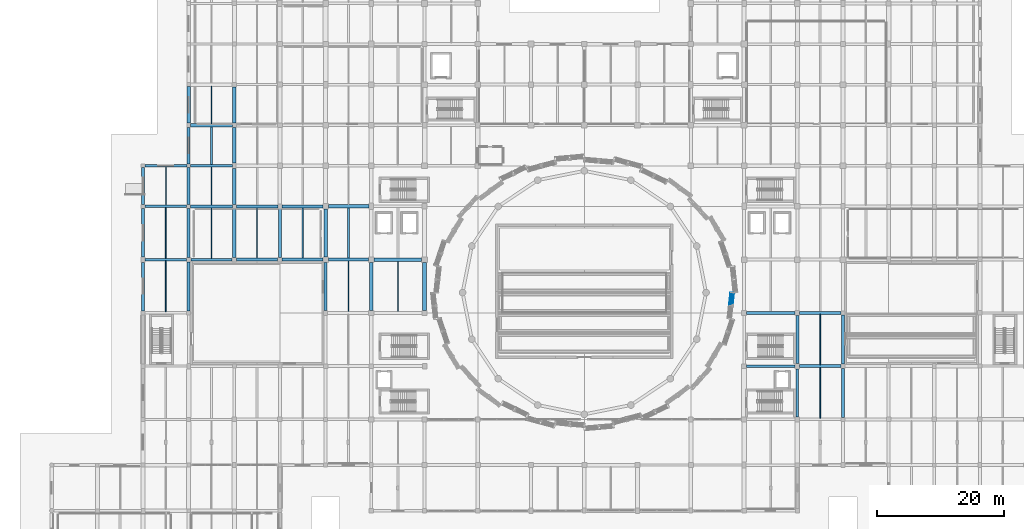
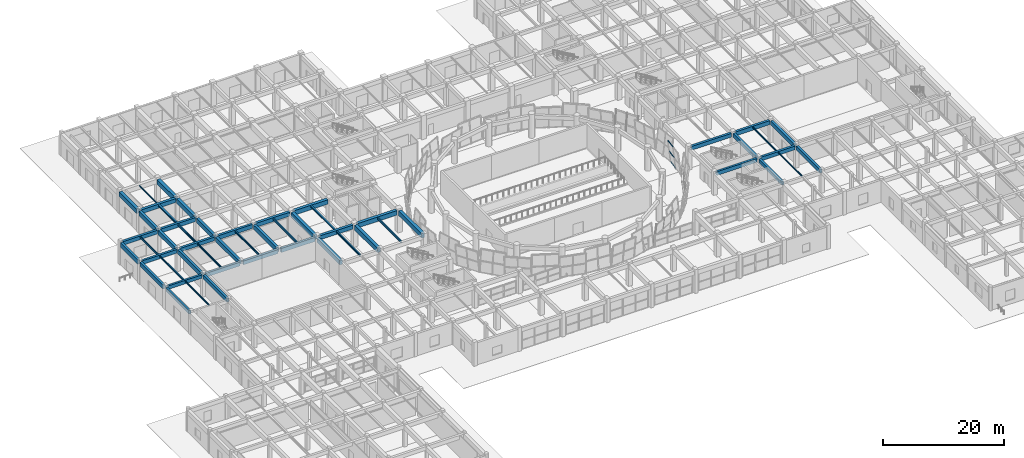
# One storey, part 28 of 72: 53 beams, 3 members, 1 element without a shape of its own.
"""IFC4 building model written with IfcOpenShell, lengths in metres."""

from ifc_helpers import new_model, si_unit, direction, frame, origin, origin_2d, place, context, subcontext, project, spatial, rectangle, hollow_rectangle, i_section, extrude, material, material_profile, profile_set, type_object, element, aggregate, save


model = new_model("IFC4")

# Units and contexts
model_context = context("Model", 3, precision=1e-05, world=origin(), true_north=direction((0.0, 1.0)))
body_context = subcontext(model_context, "Body", "Model", "MODEL_VIEW")
ifc_project = project(units=[si_unit("LENGTHUNIT", "METRE"), si_unit("AREAUNIT", "SQUARE_METRE"), si_unit("VOLUMEUNIT", "CUBIC_METRE"), si_unit("PLANEANGLEUNIT", "RADIAN"), si_unit("MASSUNIT", "GRAM", prefix="KILO")], contexts=[model_context])

# Site, building, storey
site_placement = place(None, origin())
site = spatial("IfcSite", under=ifc_project, at=site_placement, CompositionType="ELEMENT")
building_placement = place(site_placement, origin())
building = spatial("IfcBuilding", under=site, at=building_placement, Name="Korsvaeld Concert Hall", CompositionType="ELEMENT")
storey_placement = place(building_placement, origin())
storey = spatial("IfcBuildingStorey", under=building, at=storey_placement, Name="L00", CompositionType="ELEMENT", Elevation=0.0)

# Beams
ifc_material_1 = material(Name="Concrete C35/45", Category="concrete")
ifc_material_profile_1 = material_profile(ifc_material_1, rectangle(XDim=0.39990234375, YDim=0.699951171875, at=origin_2d()), Name="RC 400x700")
ifc_profile_set_1 = profile_set([ifc_material_profile_1], Name="Concrete C35/45")
beam_type_1 = type_object("IfcBeamType", Name="BM-RC-400x700", PredefinedType="T_BEAM", material=ifc_profile_set_1)
beam_1_placement = place(storey_placement, frame((14.699951171875, 68.39990234375, 4.090087890625), z_axis=(1.0, 0.0, 0.0), x_axis=(0.0, 1.0, 0.0)))
element("IfcBeam", 1, at=beam_1_placement, inside=storey, type_object=beam_type_1, Name="Primary girder 3-4/K L00", PredefinedType="T_BEAM", context=body_context, shape_type="SweptSolid", body=[
    extrude(rectangle(XDim=0.39990234375, YDim=0.699951171875, at=origin_2d()), origin(), (0.0, 0.0, 1.0), 6.550048828125),
])
beam_2_placement = place(storey_placement, frame((14.39990234375, 60.324951171875, 4.090087890625), z_axis=(0.0, 1.0, 0.0), x_axis=(-1.0, 0.0, 0.0)))
element("IfcBeam", 2, at=beam_2_placement, inside=storey, type_object=beam_type_1, Name="Primary girder 3/J-K L00", PredefinedType="T_BEAM", context=body_context, shape_type="SweptSolid", body=[
    extrude(rectangle(XDim=0.39990234375, YDim=0.699951171875, at=origin_2d()), origin(), (0.0, 0.0, 1.0), 7.625),
])
beam_3_placement = place(storey_placement, frame((117.60009765625, 43.574951171875, 4.090087890625), z_axis=(0.0, 1.0, 0.0), x_axis=(-1.0, 0.0, 0.0)))
element("IfcBeam", 3, at=beam_3_placement, inside=storey, type_object=beam_type_1, Name="Primary girder 16/G-H L00", PredefinedType="T_BEAM", context=body_context, shape_type="SweptSolid", body=[
    extrude(rectangle(XDim=0.39990234375, YDim=0.699951171875, at=origin_2d()), origin(), (0.0, 0.0, 1.0), 7.574951171875),
])
ifc_material_profile_2 = material_profile(ifc_material_1, rectangle(XDim=0.39990234375, YDim=0.75, at=origin_2d()), Name="RC 400x750")
ifc_profile_set_2 = profile_set([ifc_material_profile_2], Name="Concrete C35/45")
beam_type_2 = type_object("IfcBeamType", Name="BM-RC-400x750", PredefinedType="T_BEAM", material=ifc_profile_set_2)
beam_4_placement = place(storey_placement, frame((109.574951171875, 51.60009765625, 4.06494140625), z_axis=(1.0, 0.0, 0.0), x_axis=(0.0, 1.0, 0.0)))
element("IfcBeam", 4, at=beam_4_placement, inside=storey, type_object=beam_type_2, Name="Primary girder 15-16/H L00", PredefinedType="T_BEAM", context=body_context, shape_type="SweptSolid", body=[
    extrude(rectangle(XDim=0.39990234375, YDim=0.75, at=origin_2d()), origin(), (0.0, 0.0, 1.0), 7.675048828125),
])
beam_5_placement = place(storey_placement, frame((21.949951171875, 68.39990234375, 4.06494140625), z_axis=(1.0, 0.0, 0.0), x_axis=(0.0, 1.0, 0.0)))
element("IfcBeam", 5, at=beam_5_placement, inside=storey, type_object=beam_type_2, Name="Primary girder 4-5/K L00", PredefinedType="T_BEAM", context=body_context, shape_type="SweptSolid", body=[
    extrude(rectangle(XDim=0.39990234375, YDim=0.75, at=origin_2d()), origin(), (0.0, 0.0, 1.0), 6.5),
])
beam_6_placement = place(storey_placement, frame((14.72509765625, 76.800048828125, 4.06494140625), z_axis=(1.0, 0.0, 0.0), x_axis=(0.0, 1.0, 0.0)))
element("IfcBeam", 6, at=beam_6_placement, inside=storey, type_object=beam_type_2, Name="Primary girder 3-4/L L00", PredefinedType="T_BEAM", context=body_context, shape_type="SweptSolid", body=[
    extrude(rectangle(XDim=0.39990234375, YDim=0.75, at=origin_2d()), origin(), (0.0, 0.0, 1.0), 6.5498046875),
])
ifc_material_profile_3 = material_profile(ifc_material_1, rectangle(XDim=0.449951171875, YDim=0.75, at=origin_2d()), Name="RC 450x750")
ifc_profile_set_3 = profile_set([ifc_material_profile_3], Name="Concrete C35/45")
beam_type_3 = type_object("IfcBeamType", Name="BM-RC-450x750", PredefinedType="T_BEAM", material=ifc_profile_set_3)
beam_7_placement = place(storey_placement, frame((117.949951171875, 51.60009765625, 4.06494140625), z_axis=(1.0, 0.0, 0.0), x_axis=(0.0, 1.0, 0.0)))
element("IfcBeam", 7, at=beam_7_placement, inside=storey, type_object=beam_type_3, Name="Primary girder 16-17/H L00", PredefinedType="T_BEAM", context=body_context, shape_type="SweptSolid", body=[
    extrude(rectangle(XDim=0.449951171875, YDim=0.75, at=origin_2d()), origin(), (0.0, 0.0, 1.0), 6.5),
])
beam_8_placement = place(storey_placement, frame((109.60009765625, 60.0, 4.06494140625), z_axis=(1.0, 0.0, 0.0), x_axis=(0.0, 1.0, 0.0)))
element("IfcBeam", 8, at=beam_8_placement, inside=storey, type_object=beam_type_3, Name="Primary girder 15-16/J L00", PredefinedType="T_BEAM", context=body_context, shape_type="SweptSolid", body=[
    extrude(rectangle(XDim=0.449951171875, YDim=0.75, at=origin_2d()), origin(), (0.0, 0.0, 1.0), 7.625),
])
beam_9_placement = place(storey_placement, frame((29.14990234375, 68.39990234375, 4.06494140625), z_axis=(1.0, 0.0, 0.0), x_axis=(0.0, 1.0, 0.0)))
element("IfcBeam", 9, at=beam_9_placement, inside=storey, type_object=beam_type_3, Name="Primary girder 5-6/K L00", PredefinedType="T_BEAM", context=body_context, shape_type="SweptSolid", body=[
    extrude(rectangle(XDim=0.449951171875, YDim=0.75, at=origin_2d()), origin(), (0.0, 0.0, 1.0), 6.5),
])
beam_10_placement = place(storey_placement, frame((21.925048828125, 76.800048828125, 4.06494140625), z_axis=(1.0, 0.0, 0.0), x_axis=(0.0, 1.0, 0.0)))
element("IfcBeam", 10, at=beam_10_placement, inside=storey, type_object=beam_type_3, Name="Primary girder 4-5/L L00", PredefinedType="T_BEAM", context=body_context, shape_type="SweptSolid", body=[
    extrude(rectangle(XDim=0.449951171875, YDim=0.75, at=origin_2d()), origin(), (0.0, 0.0, 1.0), 6.550048828125),
])
beam_11_placement = place(storey_placement, frame((14.699951171875, 83.199951171875, 4.06494140625), z_axis=(1.0, 0.0, 0.0), x_axis=(0.0, 1.0, 0.0)))
element("IfcBeam", 11, at=beam_11_placement, inside=storey, type_object=beam_type_3, Name="Primary girder 3-4/M L00", PredefinedType="T_BEAM", context=body_context, shape_type="SweptSolid", body=[
    extrude(rectangle(XDim=0.449951171875, YDim=0.75, at=origin_2d()), origin(), (0.0, 0.0, 1.0), 6.60009765625),
])
ifc_material_profile_4 = material_profile(ifc_material_1, rectangle(XDim=0.449951171875, YDim=0.800048828125, at=origin_2d()), Name="RC 450x800")
ifc_profile_set_4 = profile_set([ifc_material_profile_4], Name="Concrete C35/45")
beam_type_4 = type_object("IfcBeamType", Name="BM-RC-450x800", PredefinedType="T_BEAM", material=ifc_profile_set_4)
beam_12_placement = place(storey_placement, frame((117.97509765625, 60.0, 4.0400390625), z_axis=(1.0, 0.0, 0.0), x_axis=(0.0, 1.0, 0.0)))
element("IfcBeam", 12, at=beam_12_placement, inside=storey, type_object=beam_type_4, Name="Primary girder 16-17/J L00", PredefinedType="T_BEAM", context=body_context, shape_type="SweptSolid", body=[
    extrude(rectangle(XDim=0.449951171875, YDim=0.800048828125, at=origin_2d()), origin(), (0.0, 0.0, 1.0), 6.5),
])
beam_13_placement = place(storey_placement, frame((36.35009765625, 68.39990234375, 4.0400390625), z_axis=(1.0, 0.0, 0.0), x_axis=(0.0, 1.0, 0.0)))
element("IfcBeam", 13, at=beam_13_placement, inside=storey, type_object=beam_type_4, Name="Primary girder 6-7/K L00", PredefinedType="T_BEAM", context=body_context, shape_type="SweptSolid", body=[
    extrude(rectangle(XDim=0.449951171875, YDim=0.800048828125, at=origin_2d()), origin(), (0.0, 0.0, 1.0), 6.39990234375),
])
beam_14_placement = place(storey_placement, frame((29.125, 76.800048828125, 4.0400390625), z_axis=(1.0, 0.0, 0.0), x_axis=(0.0, 1.0, 0.0)))
element("IfcBeam", 14, at=beam_14_placement, inside=storey, type_object=beam_type_4, Name="Primary girder 5-6/L L00", PredefinedType="T_BEAM", context=body_context, shape_type="SweptSolid", body=[
    extrude(rectangle(XDim=0.449951171875, YDim=0.800048828125, at=origin_2d()), origin(), (0.0, 0.0, 1.0), 6.574951171875),
])
beam_15_placement = place(storey_placement, frame((21.89990234375, 83.199951171875, 4.0400390625), z_axis=(1.0, 0.0, 0.0), x_axis=(0.0, 1.0, 0.0)))
element("IfcBeam", 15, at=beam_15_placement, inside=storey, type_object=beam_type_4, Name="Primary girder 4-5/M L00", PredefinedType="T_BEAM", context=body_context, shape_type="SweptSolid", body=[
    extrude(rectangle(XDim=0.449951171875, YDim=0.800048828125, at=origin_2d()), origin(), (0.0, 0.0, 1.0), 6.60009765625),
])
beam_16_placement = place(storey_placement, frame((14.39990234375, 68.85009765625, 4.0400390625), z_axis=(0.0, 1.0, 0.0), x_axis=(-1.0, 0.0, 0.0)))
element("IfcBeam", 16, at=beam_16_placement, inside=storey, type_object=beam_type_4, Name="Primary girder 3/K-L L00", PredefinedType="T_BEAM", context=body_context, shape_type="SweptSolid", body=[
    extrude(rectangle(XDim=0.449951171875, YDim=0.800048828125, at=origin_2d()), origin(), (0.0, 0.0, 1.0), 7.625),
])
beam_17_placement = place(storey_placement, frame((21.60009765625, 60.324951171875, 4.0400390625), z_axis=(0.0, 1.0, 0.0), x_axis=(-1.0, 0.0, 0.0)))
element("IfcBeam", 17, at=beam_17_placement, inside=storey, type_object=beam_type_4, Name="Primary girder 4/J-K L00", PredefinedType="T_BEAM", context=body_context, shape_type="SweptSolid", body=[
    extrude(rectangle(XDim=0.449951171875, YDim=0.800048828125, at=origin_2d()), origin(), (0.0, 0.0, 1.0), 7.72509765625),
])
beam_18_placement = place(storey_placement, frame((117.60009765625, 52.050048828125, 4.0400390625), z_axis=(0.0, 1.0, 0.0), x_axis=(-1.0, 0.0, 0.0)))
element("IfcBeam", 18, at=beam_18_placement, inside=storey, type_object=beam_type_4, Name="Primary girder 16/H-J L00", PredefinedType="T_BEAM", context=body_context, shape_type="SweptSolid", body=[
    extrude(rectangle(XDim=0.449951171875, YDim=0.800048828125, at=origin_2d()), origin(), (0.0, 0.0, 1.0), 7.574951171875),
])
beam_19_placement = place(storey_placement, frame((124.800048828125, 43.52490234375, 4.0400390625), z_axis=(0.0, 1.0, 0.0), x_axis=(-1.0, 0.0, 0.0)))
element("IfcBeam", 19, at=beam_19_placement, inside=storey, type_object=beam_type_4, Name="Primary girder 17/G-H L00", PredefinedType="T_BEAM", context=body_context, shape_type="SweptSolid", body=[
    extrude(rectangle(XDim=0.449951171875, YDim=0.800048828125, at=origin_2d()), origin(), (0.0, 0.0, 1.0), 7.72509765625),
])
ifc_material_2 = material(Name="Concrete C40/50", Category="concrete")
ifc_material_profile_5 = material_profile(ifc_material_2, rectangle(XDim=0.449951171875, YDim=0.85009765625, at=origin_2d()), Name="RC 450x850")
ifc_profile_set_5 = profile_set([ifc_material_profile_5], Name="Concrete C40/50")
beam_type_5 = type_object("IfcBeamType", Name="BM-RC-450x850", PredefinedType="T_BEAM", material=ifc_profile_set_5)
beam_20_placement = place(storey_placement, frame((14.39990234375, 77.125, 4.014892578125), z_axis=(0.0, 1.0, 0.0), x_axis=(-1.0, 0.0, 0.0)))
element("IfcBeam", 20, at=beam_20_placement, inside=storey, type_object=beam_type_5, Name="Primary girder 3/L-M L00", PredefinedType="T_BEAM", context=body_context, shape_type="SweptSolid", body=[
    extrude(rectangle(XDim=0.449951171875, YDim=0.85009765625, at=origin_2d()), origin(), (0.0, 0.0, 1.0), 5.77490234375),
])
for number, where, z_axis, x_axis, name in (
    (21, (21.60009765625, 68.75, 4.014892578125), (0.0, 1.0, 0.0), (-1.0, 0.0, 0.0), "Primary girder 4/K-L L00"),
    (22, (124.800048828125, 51.949951171875, 4.014892578125), (0.0, 1.0, 0.0), (-1.0, 0.0, 0.0), "Primary girder 17/H-J L00"),
):
    element("IfcBeam", number, at=place(storey_placement, frame(where, z_axis=z_axis, x_axis=x_axis)), inside=storey, type_object=beam_type_5, Name=name, PredefinedType="T_BEAM", context=body_context, shape_type="SweptSolid", body=[
        extrude(rectangle(XDim=0.449951171875, YDim=0.85009765625, at=origin_2d()), origin(), (0.0, 0.0, 1.0), 7.72509765625),
    ])
ifc_material_profile_6 = material_profile(ifc_material_2, rectangle(XDim=0.5, YDim=0.800048828125, at=origin_2d()), Name="RC 500x800")
ifc_profile_set_6 = profile_set([ifc_material_profile_6], Name="Concrete C40/50")
beam_type_6 = type_object("IfcBeamType", Name="BM-RC-500x800", PredefinedType="T_BEAM", material=ifc_profile_set_6)
beam_21_placement = place(storey_placement, frame((43.64990234375, 68.39990234375, 4.0400390625), z_axis=(1.0, 0.0, 0.0), x_axis=(0.0, 1.0, 0.0)))
element("IfcBeam", 23, at=beam_21_placement, inside=storey, type_object=beam_type_6, Name="Primary girder 7-8/K L00", PredefinedType="T_BEAM", context=body_context, shape_type="SweptSolid", body=[
    extrude(rectangle(XDim=0.5, YDim=0.800048828125, at=origin_2d()), origin(), (0.0, 0.0, 1.0), 6.3251953125),
])
beam_22_placement = place(storey_placement, frame((36.300048828125, 76.800048828125, 4.0400390625), z_axis=(1.0, 0.0, 0.0), x_axis=(0.0, 1.0, 0.0)))
element("IfcBeam", 24, at=beam_22_placement, inside=storey, type_object=beam_type_6, Name="Primary girder 6-7/L L00", PredefinedType="T_BEAM", context=body_context, shape_type="SweptSolid", body=[
    extrude(rectangle(XDim=0.5, YDim=0.800048828125, at=origin_2d()), origin(), (0.0, 0.0, 1.0), 6.474853515625),
])
beam_23_placement = place(storey_placement, frame((21.875, 89.60009765625, 4.0400390625), z_axis=(1.0, 0.0, 0.0), x_axis=(0.0, 1.0, 0.0)))
element("IfcBeam", 25, at=beam_23_placement, inside=storey, type_object=beam_type_6, Name="Primary girder 4-5/N L00", PredefinedType="T_BEAM", context=body_context, shape_type="SweptSolid", body=[
    extrude(rectangle(XDim=0.5, YDim=0.800048828125, at=origin_2d()), origin(), (0.0, 0.0, 1.0), 6.60009765625),
])
ifc_material_profile_7 = material_profile(ifc_material_2, rectangle(XDim=0.5, YDim=0.85009765625, at=origin_2d()), Name="RC 500x850")
ifc_profile_set_7 = profile_set([ifc_material_profile_7], Name="Concrete C40/50")
beam_type_7 = type_object("IfcBeamType", Name="BM-RC-500x850", PredefinedType="T_BEAM", material=ifc_profile_set_7)
beam_24_placement = place(storey_placement, frame((21.60009765625, 77.125, 4.014892578125), z_axis=(0.0, 1.0, 0.0), x_axis=(-1.0, 0.0, 0.0)))
element("IfcBeam", 26, at=beam_24_placement, inside=storey, type_object=beam_type_7, Name="Primary girder 4/L-M L00", PredefinedType="T_BEAM", context=body_context, shape_type="SweptSolid", body=[
    extrude(rectangle(XDim=0.5, YDim=0.85009765625, at=origin_2d()), origin(), (0.0, 0.0, 1.0), 5.77490234375),
])
beam_25_placement = place(storey_placement, frame((28.800048828125, 68.75, 4.014892578125), z_axis=(0.0, 1.0, 0.0), x_axis=(-1.0, 0.0, 0.0)))
element("IfcBeam", 27, at=beam_25_placement, inside=storey, type_object=beam_type_7, Name="Primary girder 5/K-L L00", PredefinedType="T_BEAM", context=body_context, shape_type="SweptSolid", body=[
    extrude(rectangle(XDim=0.5, YDim=0.85009765625, at=origin_2d()), origin(), (0.0, 0.0, 1.0), 7.72509765625),
])
ifc_material_profile_8 = material_profile(ifc_material_2, rectangle(XDim=0.5, YDim=0.89990234375, at=origin_2d()), Name="RC 500x900")
ifc_profile_set_8 = profile_set([ifc_material_profile_8], Name="Concrete C40/50")
beam_type_8 = type_object("IfcBeamType", Name="BM-RC-500x900", PredefinedType="T_BEAM", material=ifc_profile_set_8)
beam_26_placement = place(storey_placement, frame((21.60009765625, 83.5, 3.989990234375), z_axis=(0.0, 1.0, 0.0), x_axis=(-1.0, 0.0, 0.0)))
element("IfcBeam", 28, at=beam_26_placement, inside=storey, type_object=beam_type_8, Name="Primary girder 4/M-N L00", PredefinedType="T_BEAM", context=body_context, shape_type="SweptSolid", body=[
    extrude(rectangle(XDim=0.5, YDim=0.89990234375, at=origin_2d()), origin(), (0.0, 0.0, 1.0), 5.72509765625),
])
beam_27_placement = place(storey_placement, frame((28.800048828125, 77.125, 3.989990234375), z_axis=(0.0, 1.0, 0.0), x_axis=(-1.0, 0.0, 0.0)))
element("IfcBeam", 29, at=beam_27_placement, inside=storey, type_object=beam_type_8, Name="Primary girder 5/L-M L00", PredefinedType="T_BEAM", context=body_context, shape_type="SweptSolid", body=[
    extrude(rectangle(XDim=0.5, YDim=0.89990234375, at=origin_2d()), origin(), (0.0, 0.0, 1.0), 5.625),
])
beam_28_placement = place(storey_placement, frame((36.0, 68.75, 3.989990234375), z_axis=(0.0, 1.0, 0.0), x_axis=(-1.0, 0.0, 0.0)))
element("IfcBeam", 30, at=beam_28_placement, inside=storey, type_object=beam_type_8, Name="Primary girder 6/K-L L00", PredefinedType="T_BEAM", context=body_context, shape_type="SweptSolid", body=[
    extrude(rectangle(XDim=0.5, YDim=0.89990234375, at=origin_2d()), origin(), (0.0, 0.0, 1.0), 7.64990234375),
])
beam_29_placement = place(storey_placement, frame((43.199951171875, 60.39990234375, 3.989990234375), z_axis=(0.0, 1.0, 0.0), x_axis=(-1.0, 0.0, 0.0)))
element("IfcBeam", 31, at=beam_29_placement, inside=storey, type_object=beam_type_8, Name="Primary girder 7/J-K L00", PredefinedType="T_BEAM", context=body_context, shape_type="SweptSolid", body=[
    extrude(rectangle(XDim=0.5, YDim=0.89990234375, at=origin_2d()), origin(), (0.0, 0.0, 1.0), 7.550048828125),
])
ifc_material_profile_9 = material_profile(ifc_material_2, rectangle(XDim=0.550048828125, YDim=0.89990234375, at=origin_2d()), Name="RC 550x900")
ifc_profile_set_9 = profile_set([ifc_material_profile_9], Name="Concrete C40/50")
beam_type_9 = type_object("IfcBeamType", Name="BM-RC-550x900", PredefinedType="T_BEAM", material=ifc_profile_set_9)
beam_30_placement = place(storey_placement, frame((50.824951171875, 68.39990234375, 3.989990234375), z_axis=(1.0, 0.0, 0.0), x_axis=(0.0, 1.0, 0.0)))
element("IfcBeam", 32, at=beam_30_placement, inside=storey, type_object=beam_type_9, Name="Primary girder 8-9/K L00", PredefinedType="T_BEAM", context=body_context, shape_type="SweptSolid", body=[
    extrude(rectangle(XDim=0.550048828125, YDim=0.89990234375, at=origin_2d()), origin(), (0.0, 0.0, 1.0), 7.525146484375),
])
beam_31_placement = place(storey_placement, frame((43.625, 76.800048828125, 3.989990234375), z_axis=(1.0, 0.0, 0.0), x_axis=(0.0, 1.0, 0.0)))
element("IfcBeam", 33, at=beam_31_placement, inside=storey, type_object=beam_type_9, Name="Primary girder 7-8/L L00", PredefinedType="T_BEAM", context=body_context, shape_type="SweptSolid", body=[
    extrude(rectangle(XDim=0.550048828125, YDim=0.89990234375, at=origin_2d()), origin(), (0.0, 0.0, 1.0), 6.425048828125),
])
ifc_material_profile_10 = material_profile(ifc_material_2, rectangle(XDim=0.550048828125, YDim=0.949951171875, at=origin_2d()), Name="RC 550x950")
ifc_profile_set_10 = profile_set([ifc_material_profile_10], Name="Concrete C40/50")
beam_type_10 = type_object("IfcBeamType", Name="BM-RC-550x950", PredefinedType="T_BEAM", material=ifc_profile_set_10)
beam_32_placement = place(storey_placement, frame((21.60009765625, 89.97509765625, 3.965087890625), z_axis=(0.0, 1.0, 0.0), x_axis=(-1.0, 0.0, 0.0)))
element("IfcBeam", 34, at=beam_32_placement, inside=storey, type_object=beam_type_10, Name="Primary girder 4/N-P L00", PredefinedType="T_BEAM", context=body_context, shape_type="SweptSolid", body=[
    extrude(rectangle(XDim=0.550048828125, YDim=0.949951171875, at=origin_2d()), origin(), (0.0, 0.0, 1.0), 5.724853515625),
])
beam_33_placement = place(storey_placement, frame((28.800048828125, 83.64990234375, 3.965087890625), z_axis=(0.0, 1.0, 0.0), x_axis=(-1.0, 0.0, 0.0)))
element("IfcBeam", 35, at=beam_33_placement, inside=storey, type_object=beam_type_10, Name="Primary girder 5/M-N L00", PredefinedType="T_BEAM", context=body_context, shape_type="SweptSolid", body=[
    extrude(rectangle(XDim=0.550048828125, YDim=0.949951171875, at=origin_2d()), origin(), (0.0, 0.0, 1.0), 5.625),
])
beam_34_placement = place(storey_placement, frame((43.199951171875, 68.85009765625, 3.965087890625), z_axis=(0.0, 1.0, 0.0), x_axis=(-1.0, 0.0, 0.0)))
element("IfcBeam", 36, at=beam_34_placement, inside=storey, type_object=beam_type_10, Name="Primary girder 7/K-L L00", PredefinedType="T_BEAM", context=body_context, shape_type="SweptSolid", body=[
    extrude(rectangle(XDim=0.550048828125, YDim=0.949951171875, at=origin_2d()), origin(), (0.0, 0.0, 1.0), 7.52490234375),
])
beam_35_placement = place(storey_placement, frame((50.39990234375, 60.39990234375, 3.965087890625), z_axis=(0.0, 1.0, 0.0), x_axis=(-1.0, 0.0, 0.0)))
element("IfcBeam", 37, at=beam_35_placement, inside=storey, type_object=beam_type_10, Name="Primary girder 8/J-K L00", PredefinedType="T_BEAM", context=body_context, shape_type="SweptSolid", body=[
    extrude(rectangle(XDim=0.550048828125, YDim=0.949951171875, at=origin_2d()), origin(), (0.0, 0.0, 1.0), 7.5751953125),
])
ifc_material_profile_11 = material_profile(ifc_material_2, rectangle(XDim=0.60009765625, YDim=0.949951171875, at=origin_2d()), Name="RC 600x950")
ifc_profile_set_11 = profile_set([ifc_material_profile_11], Name="Concrete C40/50")
beam_type_11 = type_object("IfcBeamType", Name="BM-RC-600x950", PredefinedType="T_BEAM", material=ifc_profile_set_11)
beam_36_placement = place(storey_placement, frame((28.800048828125, 89.925048828125, 3.965087890625), z_axis=(0.0, 1.0, 0.0), x_axis=(-1.0, 0.0, 0.0)))
element("IfcBeam", 38, at=beam_36_placement, inside=storey, type_object=beam_type_11, Name="Primary girder 5/N-P L00", PredefinedType="T_BEAM", context=body_context, shape_type="SweptSolid", body=[
    extrude(rectangle(XDim=0.60009765625, YDim=0.949951171875, at=origin_2d()), origin(), (0.0, 0.0, 1.0), 5.724853515625),
])
beam_37_placement = place(storey_placement, frame((58.800048828125, 60.375, 3.965087890625), z_axis=(0.0, 1.0, 0.0), x_axis=(-1.0, 0.0, 0.0)))
element("IfcBeam", 39, at=beam_37_placement, inside=storey, type_object=beam_type_11, Name="Primary girder 9/J-K L00", PredefinedType="T_BEAM", context=body_context, shape_type="SweptSolid", body=[
    extrude(rectangle(XDim=0.60009765625, YDim=0.949951171875, at=origin_2d()), origin(), (0.0, 0.0, 1.0), 7.574951171875),
])
ifc_material_3 = material(Name="Steel S355J2", Category="steel")
ifc_material_profile_12 = material_profile(ifc_material_3, i_section(OverallWidth=0.280029296875, OverallDepth=0.27001953125, WebThickness=0.008056640625, FlangeThickness=0.012939453125, FilletRadius=0.02392578125, at=origin_2d()), Name="HEA 280")
ifc_profile_set_12 = profile_set([ifc_material_profile_12], Name="Steel S355J2")
beam_type_12 = type_object("IfcBeamType", Name="BM-STL-HEA280", PredefinedType="BEAM", material=ifc_profile_set_12)
beam_38_placement = place(storey_placement, frame((46.800048828125, 68.64990234375, 4.304931640625), z_axis=(0.0, 1.0, 0.0), x_axis=(-1.0, 0.0, 0.0)))
element("IfcBeam", 40, at=beam_38_placement, inside=storey, type_object=beam_type_12, Name="Secondary steel floor beam 7-8/K L00", PredefinedType="BEAM", context=body_context, shape_type="SweptSolid", body=[
    extrude(i_section(OverallWidth=0.280029296875, OverallDepth=0.27001953125, WebThickness=0.008056640625, FlangeThickness=0.012939453125, FilletRadius=0.02392578125, at=origin_2d()), origin(), (0.0, 0.0, 1.0), 7.875),
])
ifc_material_profile_13 = material_profile(ifc_material_3, i_section(OverallWidth=0.300048828125, OverallDepth=0.35009765625, WebThickness=0.010009765625, FlangeThickness=0.017578125, FilletRadius=0.027099609375, at=origin_2d()), Name="HEA 360")
ifc_profile_set_13 = profile_set([ifc_material_profile_13], Name="Steel S355J2")
beam_type_13 = type_object("IfcBeamType", Name="BM-STL-HEA360", PredefinedType="BEAM", material=ifc_profile_set_13)
beam_39_placement = place(storey_placement, frame((25.199951171875, 83.425048828125, 4.264892578125), z_axis=(0.0, 1.0, 0.0), x_axis=(-1.0, 0.0, 0.0)))
element("IfcBeam", 41, at=beam_39_placement, inside=storey, type_object=beam_type_13, Name="Secondary steel floor beam 4-5/M L00", PredefinedType="BEAM", context=body_context, shape_type="SweptSolid", body=[
    extrude(i_section(OverallWidth=0.300048828125, OverallDepth=0.35009765625, WebThickness=0.010009765625, FlangeThickness=0.017578125, FilletRadius=0.027099609375, at=origin_2d()), origin(), (0.0, 0.0, 1.0), 5.925048828125),
])
ifc_material_profile_14 = material_profile(ifc_material_3, i_section(OverallWidth=0.135009765625, OverallDepth=0.27001953125, WebThickness=0.006591796875, FlangeThickness=0.01025390625, FilletRadius=0.014892578125, at=origin_2d()), Name="IPE 270")
ifc_profile_set_14 = profile_set([ifc_material_profile_14], Name="Steel S355J2")
beam_type_14 = type_object("IfcBeamType", Name="BM-STL-IPE270", PredefinedType="JOIST", material=ifc_profile_set_14)
beam_40_placement = place(storey_placement, frame((18.0, 60.199951171875, 4.304931640625), z_axis=(0.0, 1.0, 0.0), x_axis=(-1.0, 0.0, 0.0)))
element("IfcBeam", 42, at=beam_40_placement, inside=storey, type_object=beam_type_14, Name="Secondary steel floor beam 3-4/J L00", PredefinedType="JOIST", context=body_context, shape_type="SweptSolid", body=[
    extrude(i_section(OverallWidth=0.135009765625, OverallDepth=0.27001953125, WebThickness=0.006591796875, FlangeThickness=0.01025390625, FilletRadius=0.014892578125, at=origin_2d()), origin(), (0.0, 0.0, 1.0), 8.0),
])
beam_41_placement = place(storey_placement, frame((25.199951171875, 89.85009765625, 4.304931640625), z_axis=(0.0, 1.0, 0.0), x_axis=(-1.0, 0.0, 0.0)))
element("IfcBeam", 43, at=beam_41_placement, inside=storey, type_object=beam_type_14, Name="Secondary steel floor beam 4-5/N L00", PredefinedType="JOIST", context=body_context, shape_type="SweptSolid", body=[
    extrude(i_section(OverallWidth=0.135009765625, OverallDepth=0.27001953125, WebThickness=0.006591796875, FlangeThickness=0.01025390625, FilletRadius=0.014892578125, at=origin_2d()), origin(), (0.0, 0.0, 1.0), 5.875),
])
beam_42_placement = place(storey_placement, frame((121.199951171875, 43.39990234375, 4.304931640625), z_axis=(0.0, 1.0, 0.0), x_axis=(-1.0, 0.0, 0.0)))
element("IfcBeam", 44, at=beam_42_placement, inside=storey, type_object=beam_type_14, Name="Secondary steel floor beam 16-17/G L00", PredefinedType="JOIST", context=body_context, shape_type="SweptSolid", body=[
    extrude(i_section(OverallWidth=0.135009765625, OverallDepth=0.27001953125, WebThickness=0.006591796875, FlangeThickness=0.01025390625, FilletRadius=0.014892578125, at=origin_2d()), origin(), (0.0, 0.0, 1.0), 7.97509765625),
])
ifc_material_profile_15 = material_profile(ifc_material_3, i_section(OverallWidth=0.159912109375, OverallDepth=0.330078125, WebThickness=0.007568359375, FlangeThickness=0.011474609375, FilletRadius=0.01806640625, at=origin_2d()), Name="IPE 330")
ifc_profile_set_15 = profile_set([ifc_material_profile_15], Name="Steel S355J2")
beam_type_15 = type_object("IfcBeamType", Name="BM-STL-IPE330", PredefinedType="BEAM", material=ifc_profile_set_15)
beam_43_placement = place(storey_placement, frame((18.0, 68.60009765625, 4.27490234375), z_axis=(0.0, 1.0, 0.0), x_axis=(-1.0, 0.0, 0.0)))
element("IfcBeam", 45, at=beam_43_placement, inside=storey, type_object=beam_type_15, Name="Secondary steel floor beam 3-4/K L00", PredefinedType="BEAM", context=body_context, shape_type="SweptSolid", body=[
    extrude(i_section(OverallWidth=0.159912109375, OverallDepth=0.330078125, WebThickness=0.007568359375, FlangeThickness=0.011474609375, FilletRadius=0.01806640625, at=origin_2d()), origin(), (0.0, 0.0, 1.0), 8.0),
])
beam_44_placement = place(storey_placement, frame((121.199951171875, 51.824951171875, 4.27490234375), z_axis=(0.0, 1.0, 0.0), x_axis=(-1.0, 0.0, 0.0)))
element("IfcBeam", 46, at=beam_44_placement, inside=storey, type_object=beam_type_15, Name="Secondary steel floor beam 16-17/H L00", PredefinedType="BEAM", context=body_context, shape_type="SweptSolid", body=[
    extrude(i_section(OverallWidth=0.159912109375, OverallDepth=0.330078125, WebThickness=0.007568359375, FlangeThickness=0.011474609375, FilletRadius=0.01806640625, at=origin_2d()), origin(), (0.0, 0.0, 1.0), 7.949951171875),
])
ifc_material_profile_16 = material_profile(ifc_material_3, i_section(OverallWidth=0.169921875, OverallDepth=0.360107421875, WebThickness=0.008056640625, FlangeThickness=0.0126953125, FilletRadius=0.01806640625, at=origin_2d()), Name="IPE 360")
ifc_profile_set_16 = profile_set([ifc_material_profile_16], Name="Steel S355J2")
beam_type_16 = type_object("IfcBeamType", Name="BM-STL-IPE360", PredefinedType="BEAM", material=ifc_profile_set_16)
beam_45_placement = place(storey_placement, frame((25.199951171875, 68.60009765625, 4.260009765625), z_axis=(0.0, 1.0, 0.0), x_axis=(-1.0, 0.0, 0.0)))
element("IfcBeam", 47, at=beam_45_placement, inside=storey, type_object=beam_type_16, Name="Secondary steel floor beam 4-5/K L00", PredefinedType="BEAM", context=body_context, shape_type="SweptSolid", body=[
    extrude(i_section(OverallWidth=0.169921875, OverallDepth=0.360107421875, WebThickness=0.008056640625, FlangeThickness=0.0126953125, FilletRadius=0.01806640625, at=origin_2d()), origin(), (0.0, 0.0, 1.0), 7.974853515625),
])
ifc_material_profile_17 = material_profile(ifc_material_3, i_section(OverallWidth=0.179931640625, OverallDepth=0.39990234375, WebThickness=0.008544921875, FlangeThickness=0.013427734375, FilletRadius=0.02099609375, at=origin_2d()), Name="IPE 400")
ifc_profile_set_17 = profile_set([ifc_material_profile_17], Name="Steel S355J2")
beam_type_17 = type_object("IfcBeamType", Name="BM-STL-IPE400", PredefinedType="BEAM", material=ifc_profile_set_17)
beam_46_placement = place(storey_placement, frame((18.0, 77.0, 4.239990234375), z_axis=(0.0, 1.0, 0.0), x_axis=(-1.0, 0.0, 0.0)))
element("IfcBeam", 48, at=beam_46_placement, inside=storey, type_object=beam_type_17, Name="Secondary steel floor beam 3-4/L L00", PredefinedType="BEAM", context=body_context, shape_type="SweptSolid", body=[
    extrude(i_section(OverallWidth=0.179931640625, OverallDepth=0.39990234375, WebThickness=0.008544921875, FlangeThickness=0.013427734375, FilletRadius=0.02099609375, at=origin_2d()), origin(), (0.0, 0.0, 1.0), 5.97509765625),
])
beam_47_placement = place(storey_placement, frame((32.39990234375, 68.625, 4.239990234375), z_axis=(0.0, 1.0, 0.0), x_axis=(-1.0, 0.0, 0.0)))
element("IfcBeam", 49, at=beam_47_placement, inside=storey, type_object=beam_type_17, Name="Secondary steel floor beam 5-6/K L00", PredefinedType="BEAM", context=body_context, shape_type="SweptSolid", body=[
    extrude(i_section(OverallWidth=0.179931640625, OverallDepth=0.39990234375, WebThickness=0.008544921875, FlangeThickness=0.013427734375, FilletRadius=0.02099609375, at=origin_2d()), origin(), (0.0, 0.0, 1.0), 7.949951171875),
])
beam_48_placement = place(storey_placement, frame((46.800048828125, 60.22509765625, 4.239990234375), z_axis=(0.0, 1.0, 0.0), x_axis=(-1.0, 0.0, 0.0)))
element("IfcBeam", 50, at=beam_48_placement, inside=storey, type_object=beam_type_17, Name="Secondary steel floor beam 7-8/J L00", PredefinedType="BEAM", context=body_context, shape_type="SweptSolid", body=[
    extrude(i_section(OverallWidth=0.179931640625, OverallDepth=0.39990234375, WebThickness=0.008544921875, FlangeThickness=0.013427734375, FilletRadius=0.02099609375, at=origin_2d()), origin(), (0.0, 0.0, 1.0), 7.9248046875),
])
ifc_material_profile_18 = material_profile(ifc_material_3, i_section(OverallWidth=0.18994140625, OverallDepth=0.449951171875, WebThickness=0.009521484375, FlangeThickness=0.0146484375, FilletRadius=0.02099609375, at=origin_2d()), Name="IPE 450")
ifc_profile_set_18 = profile_set([ifc_material_profile_18], Name="Steel S355J2")
beam_type_18 = type_object("IfcBeamType", Name="BM-STL-IPE450", PredefinedType="BEAM", material=ifc_profile_set_18)
beam_49_placement = place(storey_placement, frame((25.199951171875, 77.02490234375, 4.215087890625), z_axis=(0.0, 1.0, 0.0), x_axis=(-1.0, 0.0, 0.0)))
element("IfcBeam", 51, at=beam_49_placement, inside=storey, type_object=beam_type_18, Name="Secondary steel floor beam 4-5/L L00", PredefinedType="BEAM", context=body_context, shape_type="SweptSolid", body=[
    extrude(i_section(OverallWidth=0.18994140625, OverallDepth=0.449951171875, WebThickness=0.009521484375, FlangeThickness=0.0146484375, FilletRadius=0.02099609375, at=origin_2d()), origin(), (0.0, 0.0, 1.0), 5.9501953125),
])
beam_50_placement = place(storey_placement, frame((39.60009765625, 68.625, 4.215087890625), z_axis=(0.0, 1.0, 0.0), x_axis=(-1.0, 0.0, 0.0)))
element("IfcBeam", 52, at=beam_50_placement, inside=storey, type_object=beam_type_18, Name="Secondary steel floor beam 6-7/K L00", PredefinedType="BEAM", context=body_context, shape_type="SweptSolid", body=[
    extrude(i_section(OverallWidth=0.18994140625, OverallDepth=0.449951171875, WebThickness=0.009521484375, FlangeThickness=0.0146484375, FilletRadius=0.02099609375, at=origin_2d()), origin(), (0.0, 0.0, 1.0), 7.925048828125),
])
beam_51_placement = place(storey_placement, frame((54.60009765625, 60.25, 4.215087890625), z_axis=(0.0, 1.0, 0.0), x_axis=(-1.0, 0.0, 0.0)))
element("IfcBeam", 53, at=beam_51_placement, inside=storey, type_object=beam_type_18, Name="Secondary steel floor beam 8-9/J L00", PredefinedType="BEAM", context=body_context, shape_type="SweptSolid", body=[
    extrude(i_section(OverallWidth=0.18994140625, OverallDepth=0.449951171875, WebThickness=0.009521484375, FlangeThickness=0.0146484375, FilletRadius=0.02099609375, at=origin_2d()), origin(), (0.0, 0.0, 1.0), 7.875),
])

# Curtain wall, members
ifc_material_4 = material(Name="Anodised bronze and ceramic-fritted safety glass", Category="glass")
curtain_wall_type = type_object("IfcCurtainWallType", Name="CW-TYPE-08", PredefinedType="USERDEFINED", material=ifc_material_4)
curtain_wall_placement = place(storey_placement, origin())
curtain_wall = element("IfcCurtainWall", 54, at=curtain_wall_placement, inside=storey, type_object=curtain_wall_type, Name="Crystal curtain-wall facet L00 F32", ObjectType="CURTAIN WALL", PredefinedType="USERDEFINED")
ifc_material_5 = material(Name="Anodised architectural bronze aluminium", Category="aluminium")
ifc_material_profile_19 = material_profile(ifc_material_5, hollow_rectangle(XDim=0.074951171875, YDim=0.14990234375, WallThickness=0.0048828125, at=origin_2d()), Name="CWT 150x75x5")
ifc_profile_set_19 = profile_set([ifc_material_profile_19], Name="Anodised architectural bronze aluminium")
member_type = type_object("IfcMemberType", Name="CWT-BRONZE-150x75", PredefinedType="USERDEFINED", material=ifc_profile_set_19)
member_1_placement = place(storey_placement, frame((107.3740234375, 61.169677734375, 0.030029296875), z_axis=(0.108933482058, 0.994049041289, 0.0), x_axis=(-0.994049041289, 0.108933482058, 0.0)))
member_1 = element("IfcMember", 55, at=member_1_placement, type_object=member_type, Name="CW-CRYS-L00-F32 crystal transom 2.1", ObjectType="TRANSOM", PredefinedType="USERDEFINED", context=body_context, shape_type="SweptSolid", body=[
    extrude(hollow_rectangle(XDim=0.074951171875, YDim=0.14990234375, WallThickness=0.0048828125, at=origin_2d()), origin(), (0.0, 0.0, 1.0), 1.9677734375),
])
member_2_placement = place(storey_placement, frame((107.123046875, 61.19189453125, 2.239990234375), z_axis=(0.10905607732, 0.99403559896, 0.0), x_axis=(-0.99403559896, 0.10905607732, 0.0)))
member_2 = element("IfcMember", 56, at=member_2_placement, type_object=member_type, Name="CW-CRYS-L00-F32 crystal transom 2.2", ObjectType="TRANSOM", PredefinedType="USERDEFINED", context=body_context, shape_type="SweptSolid", body=[
    extrude(hollow_rectangle(XDim=0.074951171875, YDim=0.14990234375, WallThickness=0.0048828125, at=origin_2d()), origin(), (0.0, 0.0, 1.0), 1.9677734375),
])
member_3_placement = place(storey_placement, frame((106.872314453125, 61.214111328125, 4.449951171875), z_axis=(0.108933482058, 0.994049041289, 0.0), x_axis=(-0.994049041289, 0.108933482058, 0.0)))
member_3 = element("IfcMember", 57, at=member_3_placement, type_object=member_type, Name="CW-CRYS-L00-F32 crystal transom 2.3", ObjectType="TRANSOM", PredefinedType="USERDEFINED", context=body_context, shape_type="SweptSolid", body=[
    extrude(hollow_rectangle(XDim=0.074951171875, YDim=0.14990234375, WallThickness=0.0048828125, at=origin_2d()), origin(), (0.0, 0.0, 1.0), 1.9677734375),
])
aggregate(curtain_wall, [member_1, member_2, member_3])

save(model, "model.ifc")
